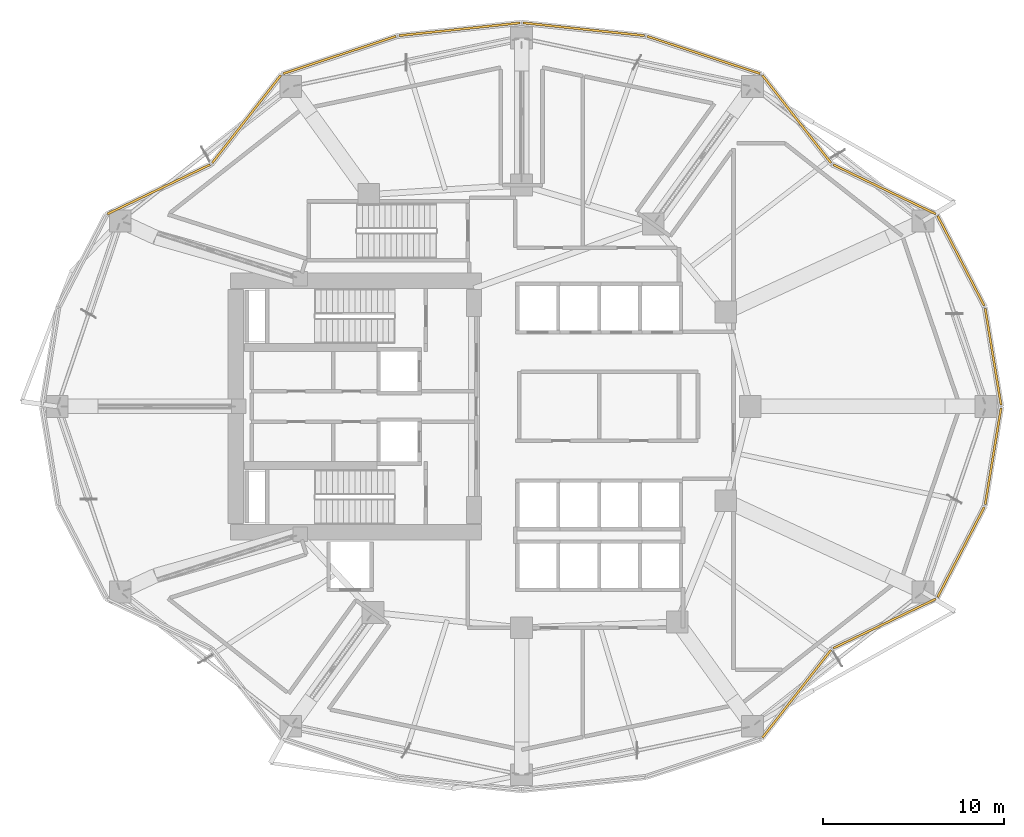
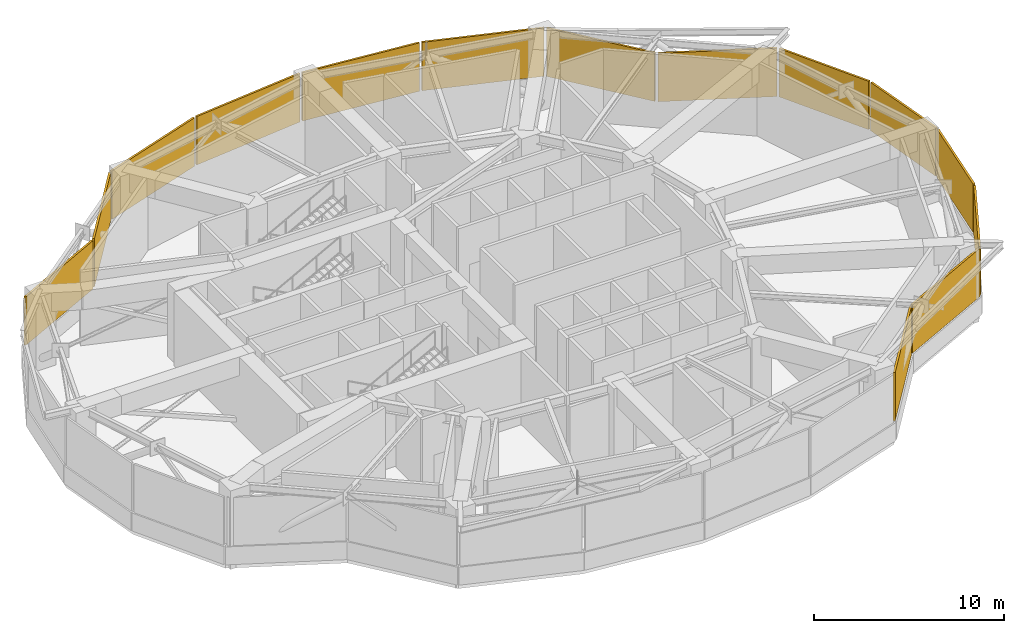
# One storey, part 12 of 12: 14 coverings.
"""IFC4 building model written with IfcOpenShell, lengths in metres."""

import ifcopenshell
import ifcopenshell.guid

model = None  # the IFC model being written
_history = None  # IfcOwnerHistory: only IFC2X3 demands one
_inside = {}  # id of a spatial element -> (the spatial element, [elements in it])
_under = {}  # id of a project, library or spatial element -> (it, [spatial elements below it])
_declared = {}  # id of a project -> (the project, [libraries it declares])
_typed = {}  # id of a type object -> (the type object, [elements of that type])
_made_of = {}  # id of a material, layer set ... -> (it, [elements and type objects made of it])


def new_model(schema):
    """Start an empty IFC model of exactly this schema.

    Asked for "IFC4X3", IfcOpenShell would pick the latest addendum, in which some entities
    have other attributes; the version numbers below select the first issue.
    IFC2X3 requires an IfcOwnerHistory on every rooted entity: one is made here for all.
    """
    global model, _history
    if schema == "IFC4X3":
        model = ifcopenshell.file(schema_version=(4, 3, 0, 0))
    else:
        model = ifcopenshell.file(schema=schema)
    _inside.clear()
    _under.clear()
    _declared.clear()
    _typed.clear()
    _made_of.clear()
    _history = None
    if model.schema == "IFC2X3":
        org = make("IfcOrganization", Name="unknown")
        user = make(
            "IfcPersonAndOrganization",
            ThePerson=make("IfcPerson", FamilyName="unknown"),
            TheOrganization=org,
        )
        app = make(
            "IfcApplication",
            ApplicationDeveloper=org,
            Version="unknown",
            ApplicationFullName="unknown",
            ApplicationIdentifier="unknown",
        )
        _history = make(
            "IfcOwnerHistory",
            OwningUser=user,
            OwningApplication=app,
            ChangeAction="ADDED",
            CreationDate=0,
        )
    return model


def make(cls, **values):
    """One entity of the class cls with the attributes given. An attribute that is None is left unset."""
    return model.create_entity(
        cls, **{name: value for name, value in values.items() if value is not None}
    )


def rooted(cls, **values):
    """An entity with a GlobalId (a new one), such as an element, a storey or a relation."""
    return make(cls, GlobalId=ifcopenshell.guid.new(), OwnerHistory=_history, **values)


def si_unit(unit_type, name, prefix=None):
    """IfcSIUnit, for example si_unit("LENGTHUNIT", "METRE", prefix="MILLI")."""
    return make("IfcSIUnit", UnitType=unit_type, Prefix=prefix, Name=name)


def assignment(units):
    """IfcUnitAssignment: the units of a project."""
    return None if units is None else make("IfcUnitAssignment", Units=units)


def point(xyz):
    """IfcCartesianPoint."""
    return None if xyz is None else make("IfcCartesianPoint", Coordinates=xyz)


def direction(xyz):
    """IfcDirection."""
    return None if xyz is None else make("IfcDirection", DirectionRatios=xyz)


def frame(location, z_axis=None, x_axis=None):
    """IfcAxis2Placement3D, a coordinate frame: its origin and axes. An axis left out is left unset."""
    return make(
        "IfcAxis2Placement3D",
        Location=point(location),
        Axis=direction(z_axis),
        RefDirection=direction(x_axis),
    )


def frame_2d(location, x_axis=None):
    """IfcAxis2Placement2D, a coordinate frame in the plane: its origin and x axis."""
    return make(
        "IfcAxis2Placement2D", Location=point(location), RefDirection=direction(x_axis)
    )


def origin():
    """The frame at (0, 0, 0) with its axes left unset."""
    return frame((0.0, 0.0, 0.0))


def origin_2d():
    """The frame at (0, 0) in the plane with its x axis left unset."""
    return frame_2d((0.0, 0.0))


def place(relative_to, where):
    """IfcLocalPlacement: puts the frame where relative to a parent placement (None: the world)."""
    return make(
        "IfcLocalPlacement", PlacementRelTo=relative_to, RelativePlacement=where
    )


def context(
    kind, dimensions, precision=None, world=None, true_north=None, identifier=None
):
    """IfcGeometricRepresentationContext, for example the 3D "Model" context."""
    return make(
        "IfcGeometricRepresentationContext",
        ContextIdentifier=identifier,
        ContextType=kind,
        CoordinateSpaceDimension=dimensions,
        Precision=precision,
        WorldCoordinateSystem=world,
        TrueNorth=true_north,
    )


def subcontext(parent, identifier, kind, view, scale=None):
    """IfcGeometricRepresentationSubContext, for example "Body" below "Model"."""
    return make(
        "IfcGeometricRepresentationSubContext",
        ContextIdentifier=identifier,
        ContextType=kind,
        ParentContext=parent,
        TargetScale=scale,
        TargetView=view,
    )


def project(units=None, contexts=None):
    """IfcProject with its units and contexts."""
    return rooted(
        "IfcProject",
        Name="project",
        RepresentationContexts=contexts,
        UnitsInContext=assignment(units),
    )


def spatial(cls, under=None, at=None, **own):
    """A site, building, storey or space (cls), placed at a placement, below another one or the project."""
    s = rooted(cls, ObjectPlacement=at, **own)
    if under is not None:
        _under.setdefault(under.id(), (under, []))[1].append(s)
    return s


def profile(cls, at=None, kind="AREA", **sizes):
    """A parametric profile (cls). Its sizes go by their IFC names, for example OverallWidth=200.0."""
    return make(cls, ProfileType=kind, Position=at, **sizes)


def rectangle(**sizes):
    """IfcRectangleProfileDef."""
    return profile("IfcRectangleProfileDef", **sizes)


def extrude(swept, where, along, depth):
    """IfcExtrudedAreaSolid: the profile swept, set in the frame where, extruded along a direction by depth."""
    return make(
        "IfcExtrudedAreaSolid",
        SweptArea=swept,
        Position=where,
        ExtrudedDirection=direction(along),
        Depth=depth,
    )


def shape(context_of_items, identifier, shape_type, items):
    """IfcShapeRepresentation: the items that make up one representation, for example the "Body"."""
    return make(
        "IfcShapeRepresentation",
        ContextOfItems=context_of_items,
        RepresentationIdentifier=identifier,
        RepresentationType=shape_type,
        Items=items,
    )


def material(Name=None, Category=None):
    """IfcMaterial."""
    return make("IfcMaterial", Name=Name, Category=Category)


def layer(
    of_material, thickness, ventilated=None, Name=None, Category=None, Priority=None
):
    """IfcMaterialLayer: one layer of a wall or slab, of a material (None: an air gap)."""
    return make(
        "IfcMaterialLayer",
        Material=of_material,
        LayerThickness=thickness,
        IsVentilated=ventilated,
        Name=Name,
        Category=Category,
        Priority=Priority,
    )


def layer_set(layers, Name=None):
    """IfcMaterialLayerSet."""
    return make("IfcMaterialLayerSet", MaterialLayers=layers, LayerSetName=Name)


def made_of(thing, what):
    """Note that an element or type object is made of a material, layer set ...; save() writes the relation."""
    if what is not None:
        _made_of.setdefault(what.id(), (what, []))[1].append(thing)
    return thing


def type_object(cls, material=None, **own):
    """A type object (cls), such as IfcWallType, which elements share."""
    return made_of(rooted(cls, **own), material)


def element(
    cls,
    number,
    at=None,
    inside=None,
    cuts=None,
    type_object=None,
    material=None,
    context=None,
    identifier="Body",
    shape_type=None,
    held_by="IfcProductDefinitionShape",
    body=None,
    shapes=None,
    **own,
):
    """One element of the class cls, such as IfcWall. Its Tag is "e" and its number.

    at: its placement. inside: the storey or other place that contains it. cuts: it is an
    opening in that element (IfcRelVoidsElement). A single representation is given by context,
    identifier, shape_type and body (its items); several are given by shapes. held_by: the class
    of the entity that holds the representations. save() writes the other relations.
    """
    e = rooted(cls, Tag="e%d" % number, ObjectPlacement=at, **own)
    if body is not None:
        shapes = [shape(context, identifier, shape_type, body)]
    if shapes is not None:
        e.Representation = make(held_by, Representations=shapes)
    if inside is not None:
        _inside.setdefault(inside.id(), (inside, []))[1].append(e)
    if cuts is not None:
        rooted(
            "IfcRelVoidsElement", RelatingBuildingElement=cuts, RelatedOpeningElement=e
        )
    if type_object is not None:
        _typed.setdefault(type_object.id(), (type_object, []))[1].append(e)
    return made_of(e, material)


def aggregate(whole, parts):
    """IfcRelAggregates: a whole, such as a stair, and the parts it consists of."""
    return rooted("IfcRelAggregates", RelatingObject=whole, RelatedObjects=parts)


def save(model, path):
    """Write the relations noted so far, then the file.

    IfcRelAggregates (storeys below a building ...), IfcRelContainedInSpatialStructure (elements
    in a storey), IfcRelDefinesByType, IfcRelAssociatesMaterial and IfcRelDeclares: one each for
    every whole, place, type object, material and project.
    """
    for whole, parts in _under.values():
        aggregate(whole, parts)
    for where, things in _inside.values():
        rooted(
            "IfcRelContainedInSpatialStructure",
            RelatedElements=things,
            RelatingStructure=where,
        )
    for kind, things in _typed.values():
        rooted("IfcRelDefinesByType", RelatedObjects=things, RelatingType=kind)
    for what, things in _made_of.values():
        rooted("IfcRelAssociatesMaterial", RelatedObjects=things, RelatingMaterial=what)
    for by, libraries in _declared.values():
        rooted("IfcRelDeclares", RelatingContext=by, RelatedDefinitions=libraries)
    model.write(path)


model = new_model("IFC4")

# Units and contexts
model_context = context("Model", 3, precision=1e-05, world=origin(), true_north=direction((0.0, 1.0)))
body_context = subcontext(model_context, "Body", "Model", "MODEL_VIEW")
ifc_project = project(units=[si_unit("LENGTHUNIT", "METRE"), si_unit("AREAUNIT", "SQUARE_METRE"), si_unit("VOLUMEUNIT", "CUBIC_METRE"), si_unit("PLANEANGLEUNIT", "RADIAN"), si_unit("MASSUNIT", "GRAM", prefix="KILO")], contexts=[model_context])

# Site, building, storey
site_placement = place(None, origin())
site = spatial("IfcSite", under=ifc_project, at=site_placement, CompositionType="ELEMENT")
building_placement = place(site_placement, origin())
building = spatial("IfcBuilding", under=site, at=building_placement, Name="Kolvaren Gate Tower and Convention Centre", CompositionType="ELEMENT")
storey_placement = place(building_placement, frame((0.0, 0.0, 95.800048828125)))
storey = spatial("IfcBuildingStorey", under=building, at=storey_placement, Name="L23", CompositionType="ELEMENT", Elevation=95.800048828125)

# Coverings
ifc_material = material(Name="Honed Warm Andean Limestone Rainscreen Cladding 120 mm", Category="masonry")
ifc_layer = layer(ifc_material, 0.1201171875)
ifc_layer_set = layer_set([ifc_layer], Name="Honed Warm Andean Limestone Rainscreen Cladding 120 mm")
covering_type = type_object("IfcCoveringType", Name="ARCH-COV-LOUVRE", PredefinedType="CLADDING", material=ifc_layer_set)
covering_1_placement = place(storey_placement, frame((56.112060546875, 29.737060546875, 1.139892578125), z_axis=(0.0, 0.0, 1.0), x_axis=(0.162375401515, -0.986729055508, 0.0)))
element("IfcCovering", 1, at=covering_1_placement, inside=storey, type_object=covering_type, Name="Plant Floor L23 Honed Limestone Rainscreen Cladding LV-00", PredefinedType="CLADDING", context=body_context, shape_type="SweptSolid", body=[
    extrude(rectangle(XDim=5.3876953125, YDim=0.1201171875, at=origin_2d()), origin(), (0.0, 0.0, 1.0), 3.10302734375),
])
covering_2_placement = place(storey_placement, frame((54.341064453125, 35.0244140625, 1.139892578125), z_axis=(0.0, 0.0, 1.0), x_axis=(0.45980150925, -0.888021718254, 0.0)))
element("IfcCovering", 2, at=covering_2_placement, inside=storey, type_object=covering_type, Name="Plant Floor L23 Honed Limestone Rainscreen Cladding LV-01", PredefinedType="CLADDING", context=body_context, shape_type="SweptSolid", body=[
    extrude(rectangle(XDim=5.584228515625, YDim=0.1201171875, at=origin_2d()), origin(), (0.0, 0.0, 1.0), 3.10302734375),
])
covering_3_placement = place(storey_placement, frame((50.122314453125, 38.967529296875, 1.139892578125), z_axis=(0.0, 0.0, 1.0), x_axis=(0.901357634097, -0.433075530889, 0.0)))
element("IfcCovering", 3, at=covering_3_placement, inside=storey, type_object=covering_type, Name="Plant Floor L23 Honed Limestone Rainscreen Cladding LV-02", PredefinedType="CLADDING", context=body_context, shape_type="SweptSolid", body=[
    extrude(rectangle(XDim=6.27099609375, YDim=0.1201171875, at=origin_2d()), origin(), (0.0, 0.0, 1.0), 3.10302734375),
])
covering_4_placement = place(storey_placement, frame((45.283935546875, 42.83837890625, 1.139892578125), z_axis=(0.0, 0.0, 1.0), x_axis=(0.616431370541, -0.787408639407, 0.0)))
element("IfcCovering", 4, at=covering_4_placement, inside=storey, type_object=covering_type, Name="Plant Floor L23 Honed Limestone Rainscreen Cladding LV-03", PredefinedType="CLADDING", context=body_context, shape_type="SweptSolid", body=[
    extrude(rectangle(XDim=6.134521484375, YDim=0.1201171875, at=origin_2d()), origin(), (0.0, 0.0, 1.0), 3.10302734375),
])
covering_5_placement = place(storey_placement, frame((40.15576171875, 46.372802734375, 1.139892578125), z_axis=(0.0, 0.0, 1.0), x_axis=(0.949241728595, -0.314547517385, 0.0)))
element("IfcCovering", 5, at=covering_5_placement, inside=storey, type_object=covering_type, Name="Plant Floor L23 Honed Limestone Rainscreen Cladding LV-04", PredefinedType="CLADDING", context=body_context, shape_type="SweptSolid", body=[
    extrude(rectangle(XDim=6.557373046875, YDim=0.1201171875, at=origin_2d()), origin(), (0.0, 0.0, 1.0), 3.10302734375),
])
for number, where, z_axis, x_axis, name in (
    (6, (33.54638671875, 47.78955078125, 1.139892578125), (0.0, 0.0, 1.0), (0.994498884311, -0.104747167526, 0.0), "Plant Floor L23 Honed Limestone Rainscreen Cladding LV-05"),
    (7, (26.70361328125, 47.78955078125, 1.139892578125), (0.0, 0.0, 1.0), (0.994498884311, 0.104747167526, 0.0), "Plant Floor L23 Honed Limestone Rainscreen Cladding LV-06"),
):
    element("IfcCovering", number, at=place(storey_placement, frame(where, z_axis=z_axis, x_axis=x_axis)), inside=storey, type_object=covering_type, Name=name, PredefinedType="CLADDING", context=body_context, shape_type="SweptSolid", body=[
        extrude(rectangle(XDim=6.72021484375, YDim=0.1201171875, at=origin_2d()), origin(), (0.0, 0.0, 1.0), 3.10302734375),
    ])
covering_6_placement = place(storey_placement, frame((20.094482421875, 46.372802734375, 1.139892578125), z_axis=(0.0, 0.0, 1.0), x_axis=(0.949240081615, 0.314552487599, 0.0)))
element("IfcCovering", 8, at=covering_6_placement, inside=storey, type_object=covering_type, Name="Plant Floor L23 Honed Limestone Rainscreen Cladding LV-07", PredefinedType="CLADDING", context=body_context, shape_type="SweptSolid", body=[
    extrude(rectangle(XDim=6.55712890625, YDim=0.1201171875, at=origin_2d()), origin(), (0.0, 0.0, 1.0), 3.10302734375),
])
covering_7_placement = place(storey_placement, frame((14.96630859375, 42.83837890625, 1.139892578125), z_axis=(0.0, 0.0, 1.0), x_axis=(0.61644236478, 0.787400032325, 0.0)))
element("IfcCovering", 9, at=covering_7_placement, inside=storey, type_object=covering_type, Name="Plant Floor L23 Honed Limestone Rainscreen Cladding LV-08", PredefinedType="CLADDING", context=body_context, shape_type="SweptSolid", body=[
    extrude(rectangle(XDim=6.134521484375, YDim=0.1201171875, at=origin_2d()), origin(), (0.0, 0.0, 1.0), 3.10302734375),
])
covering_8_placement = place(storey_placement, frame((10.127685546875, 38.967529296875, 1.139892578125), z_axis=(0.0, 0.0, 1.0), x_axis=(0.901357634097, 0.433075530889, 0.0)))
element("IfcCovering", 10, at=covering_8_placement, inside=storey, type_object=covering_type, Name="Plant Floor L23 Honed Limestone Rainscreen Cladding LV-09", PredefinedType="CLADDING", context=body_context, shape_type="SweptSolid", body=[
    extrude(rectangle(XDim=6.27099609375, YDim=0.1201171875, at=origin_2d()), origin(), (0.0, 0.0, 1.0), 3.10302734375),
])
covering_9_placement = place(storey_placement, frame((45.283935546875, 11.161865234375, 1.139892578125), z_axis=(0.0, 0.0, 1.0), x_axis=(0.616431370541, 0.787408639407, 0.0)))
element("IfcCovering", 11, at=covering_9_placement, inside=storey, type_object=covering_type, Name="Plant Floor L23 Honed Limestone Rainscreen Cladding LV-20", PredefinedType="CLADDING", context=body_context, shape_type="SweptSolid", body=[
    extrude(rectangle(XDim=6.134521484375, YDim=0.1201171875, at=origin_2d()), origin(), (0.0, 0.0, 1.0), 3.10302734375),
])
covering_10_placement = place(storey_placement, frame((50.122314453125, 15.032470703125, 1.139892578125), z_axis=(0.0, 0.0, 1.0), x_axis=(0.901357634097, 0.433075530889, 0.0)))
element("IfcCovering", 12, at=covering_10_placement, inside=storey, type_object=covering_type, Name="Plant Floor L23 Honed Limestone Rainscreen Cladding LV-21", PredefinedType="CLADDING", context=body_context, shape_type="SweptSolid", body=[
    extrude(rectangle(XDim=6.27099609375, YDim=0.1201171875, at=origin_2d()), origin(), (0.0, 0.0, 1.0), 3.10302734375),
])
covering_11_placement = place(storey_placement, frame((54.341064453125, 18.9755859375, 1.139892578125), z_axis=(0.0, 0.0, 1.0), x_axis=(0.45980150925, 0.888021718254, 0.0)))
element("IfcCovering", 13, at=covering_11_placement, inside=storey, type_object=covering_type, Name="Plant Floor L23 Honed Limestone Rainscreen Cladding LV-22", PredefinedType="CLADDING", context=body_context, shape_type="SweptSolid", body=[
    extrude(rectangle(XDim=5.584228515625, YDim=0.1201171875, at=origin_2d()), origin(), (0.0, 0.0, 1.0), 3.10302734375),
])
covering_12_placement = place(storey_placement, frame((56.112060546875, 24.262939453125, 1.139892578125), z_axis=(0.0, 0.0, 1.0), x_axis=(0.162375401515, 0.986729055508, 0.0)))
element("IfcCovering", 14, at=covering_12_placement, inside=storey, type_object=covering_type, Name="Plant Floor L23 Honed Limestone Rainscreen Cladding LV-23", PredefinedType="CLADDING", context=body_context, shape_type="SweptSolid", body=[
    extrude(rectangle(XDim=5.3876953125, YDim=0.1201171875, at=origin_2d()), origin(), (0.0, 0.0, 1.0), 3.10302734375),
])

save(model, "model.ifc")
